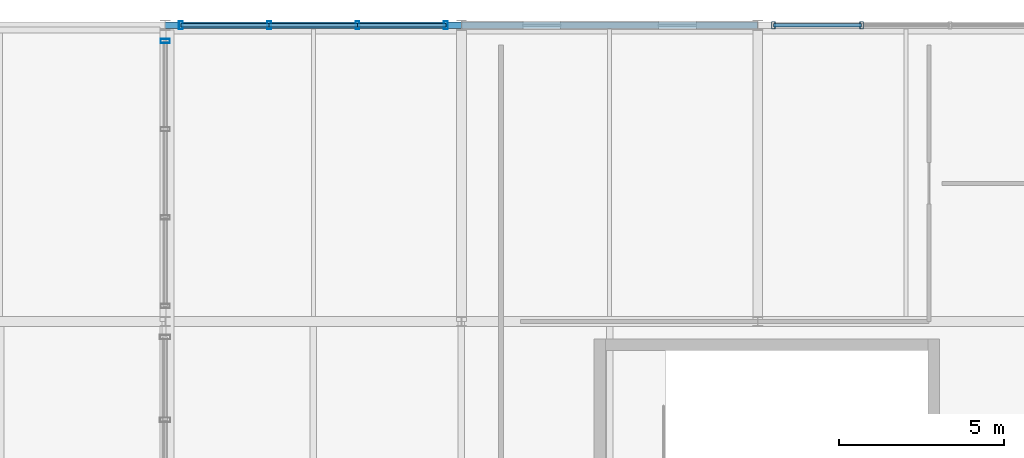
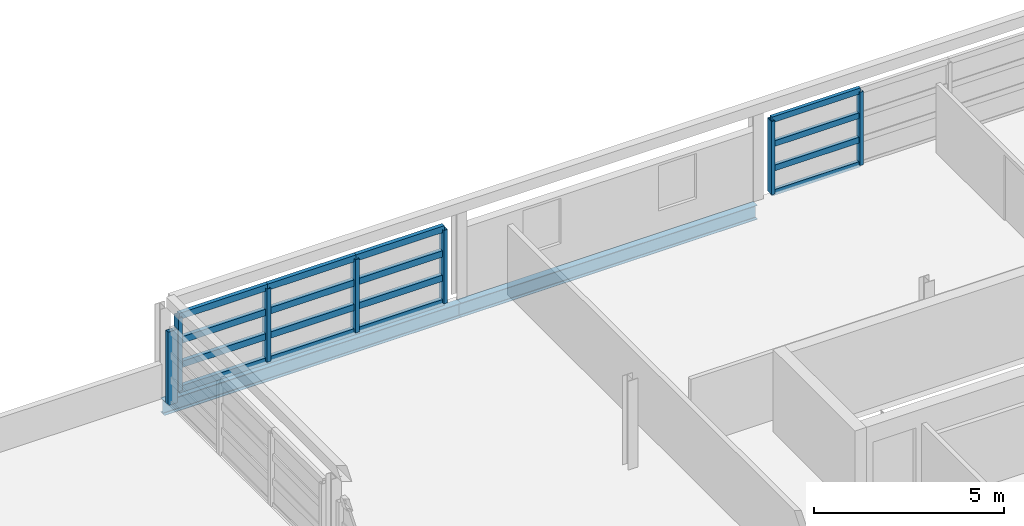
# One storey, part 16 of 27: 23 members, 2 beams, 3 elements without a shape of their own.
"""IFC4 building model written with IfcOpenShell, lengths in metres."""

from ifc_helpers import new_model, si_unit, direction, frame, origin, origin_2d, place, context, subcontext, project, spatial, hollow_rectangle, i_section, extrude, material, material_profile, profile_set, type_object, element, aggregate, save


model = new_model("IFC4")

# Units and contexts
model_context = context("Model", 3, precision=1e-05, world=origin(), true_north=direction((0.0, 1.0)))
body_context = subcontext(model_context, "Body", "Model", "MODEL_VIEW")
ifc_project = project(units=[si_unit("LENGTHUNIT", "METRE"), si_unit("AREAUNIT", "SQUARE_METRE"), si_unit("VOLUMEUNIT", "CUBIC_METRE"), si_unit("PLANEANGLEUNIT", "RADIAN"), si_unit("MASSUNIT", "GRAM", prefix="KILO")], contexts=[model_context])

# Site, building, storey
site_placement = place(None, origin())
site = spatial("IfcSite", under=ifc_project, at=site_placement, CompositionType="ELEMENT")
building_placement = place(site_placement, origin())
building = spatial("IfcBuilding", under=site, at=building_placement, Name="Chuanluo Vaults Station", CompositionType="ELEMENT")
storey_placement = place(building_placement, frame((0.0, 0.0, 20.800048828125)))
storey = spatial("IfcBuildingStorey", under=building, at=storey_placement, Name="L05", CompositionType="ELEMENT", Elevation=20.800048828125)

# Beams
ifc_material_1 = material(Name="Steel Q355C", Category="steel")
ifc_material_profile_1 = material_profile(ifc_material_1, i_section(OverallWidth=0.205078125, OverallDepth=0.4599609375, WebThickness=0.009033203125, FlangeThickness=0.013916015625, FilletRadius=0.01611328125, at=origin_2d()))
ifc_profile_set_1 = profile_set([ifc_material_profile_1], Name="Steel Q355C")
beam_type = type_object("IfcBeamType", Name="BM-SPN-450", PredefinedType="SPANDREL", material=ifc_profile_set_1)
for number, where, z_axis, x_axis, name in (
    (1, (136.0, 126.0, -0.41015625), (1.0, 0.0, 0.0), (0.0, 1.0, 0.0), "Floor girder BM:GX:L05:0979"),
    (2, (145.0, 126.0, -0.41015625), (1.0, 0.0, 0.0), (0.0, 1.0, 0.0), "Floor girder BM:GX:L05:0980"),
):
    element("IfcBeam", number, at=place(storey_placement, frame(where, z_axis=z_axis, x_axis=x_axis)), inside=storey, type_object=beam_type, Name=name, PredefinedType="SPANDREL", context=body_context, shape_type="SweptSolid", body=[
        extrude(i_section(OverallWidth=0.205078125, OverallDepth=0.4599609375, WebThickness=0.009033203125, FlangeThickness=0.013916015625, FilletRadius=0.01611328125, at=origin_2d()), origin(), (0.0, 0.0, 1.0), 9.0),
    ])

# Curtain wall, members
ifc_material_2 = material(Name="Anodised aluminium 6063-T6", Category="aluminium")
curtain_wall_type_1 = type_object("IfcCurtainWallType", Name="CW-SYS-28", PredefinedType="NOTDEFINED", material=ifc_material_2)
curtain_wall_1_placement = place(storey_placement, origin())
curtain_wall_1 = element("IfcCurtainWall", 3, at=curtain_wall_1_placement, inside=storey, type_object=curtain_wall_type_1, Name="Operations L05 facade CW", PredefinedType="NOTDEFINED")
ifc_material_3 = material(Name="Anodised aluminium 6063-T6", Category="aluminium")
ifc_material_profile_2 = material_profile(ifc_material_3, hollow_rectangle(XDim=0.10498046875, YDim=0.219970703125, WallThickness=0.006103515625, at=origin_2d()))
ifc_profile_set_2 = profile_set([ifc_material_profile_2], Name="Anodised aluminium 6063-T6")
member_type_1 = type_object("IfcMemberType", Name="CWM-140", PredefinedType="MULLION", material=ifc_profile_set_2)
member_1_placement = place(storey_placement, frame((154.47509765625, 126.0, 0.0), z_axis=(0.0, 0.0, 1.0), x_axis=(1.0, 0.0, 0.0)))
member_1 = element("IfcMember", 4, at=member_1_placement, type_object=member_type_1, Name="Operations L05 facade CW mullion 1", PredefinedType="MULLION", context=body_context, shape_type="SweptSolid", body=[
    extrude(hollow_rectangle(XDim=0.10498046875, YDim=0.219970703125, WallThickness=0.006103515625, at=origin_2d()), origin(), (0.0, 0.0, 1.0), 2.349853515625),
])
member_2_placement = place(storey_placement, frame((157.158203125, 126.0, 0.0), z_axis=(0.0, 0.0, 1.0), x_axis=(1.0, 0.0, 0.0)))
member_2 = element("IfcMember", 5, at=member_2_placement, type_object=member_type_1, Name="Operations L05 facade CW mullion 2", PredefinedType="MULLION", context=body_context, shape_type="SweptSolid", body=[
    extrude(hollow_rectangle(XDim=0.10498046875, YDim=0.219970703125, WallThickness=0.006103515625, at=origin_2d()), origin(), (0.0, 0.0, 1.0), 2.349853515625),
])

ifc_material_4 = material(Name="Anodised aluminium 6063-T6", Category="aluminium")
curtain_wall_type_2 = type_object("IfcCurtainWallType", Name="CW-SYS-27", PredefinedType="NOTDEFINED", material=ifc_material_4)
curtain_wall_2_placement = place(storey_placement, origin())
curtain_wall_2 = element("IfcCurtainWall", 6, at=curtain_wall_2_placement, inside=storey, type_object=curtain_wall_type_2, Name="Operations L05 facade CW", PredefinedType="NOTDEFINED")
ifc_material_5 = material(Name="Anodised aluminium 6063-T6", Category="aluminium")
ifc_material_profile_3 = material_profile(ifc_material_5, hollow_rectangle(XDim=0.1201171875, YDim=0.25, WallThickness=0.006103515625, at=origin_2d()))
ifc_profile_set_3 = profile_set([ifc_material_profile_3], Name="Anodised aluminium 6063-T6")
member_type_2 = type_object("IfcMemberType", Name="CWM-160", PredefinedType="MULLION", material=ifc_profile_set_3)
member_3_placement = place(storey_placement, frame((136.47509765625, 126.0, 0.0), z_axis=(0.0, 0.0, 1.0), x_axis=(1.0, 0.0, 0.0)))
member_3 = element("IfcMember", 7, at=member_3_placement, type_object=member_type_2, Name="Operations L05 facade CW mullion 1", PredefinedType="MULLION", context=body_context, shape_type="SweptSolid", body=[
    extrude(hollow_rectangle(XDim=0.1201171875, YDim=0.25, WallThickness=0.006103515625, at=origin_2d()), origin(), (0.0, 0.0, 1.0), 2.349853515625),
])
member_4_placement = place(storey_placement, frame((139.158203125, 126.0, 0.0), z_axis=(0.0, 0.0, 1.0), x_axis=(1.0, 0.0, 0.0)))
member_4 = element("IfcMember", 8, at=member_4_placement, type_object=member_type_2, Name="Operations L05 facade CW mullion 2", PredefinedType="MULLION", context=body_context, shape_type="SweptSolid", body=[
    extrude(hollow_rectangle(XDim=0.1201171875, YDim=0.25, WallThickness=0.006103515625, at=origin_2d()), origin(), (0.0, 0.0, 1.0), 2.349853515625),
])
member_5_placement = place(storey_placement, frame((141.841796875, 126.0, 0.0), z_axis=(0.0, 0.0, 1.0), x_axis=(1.0, 0.0, 0.0)))
member_5 = element("IfcMember", 9, at=member_5_placement, type_object=member_type_2, Name="Operations L05 facade CW mullion 3", PredefinedType="MULLION", context=body_context, shape_type="SweptSolid", body=[
    extrude(hollow_rectangle(XDim=0.1201171875, YDim=0.25, WallThickness=0.006103515625, at=origin_2d()), origin(), (0.0, 0.0, 1.0), 2.349853515625),
])
member_6_placement = place(storey_placement, frame((144.52490234375, 126.0, 0.0), z_axis=(0.0, 0.0, 1.0), x_axis=(1.0, 0.0, 0.0)))
member_6 = element("IfcMember", 10, at=member_6_placement, type_object=member_type_2, Name="Operations L05 facade CW mullion 4", PredefinedType="MULLION", context=body_context, shape_type="SweptSolid", body=[
    extrude(hollow_rectangle(XDim=0.1201171875, YDim=0.25, WallThickness=0.006103515625, at=origin_2d()), origin(), (0.0, 0.0, 1.0), 2.349853515625),
])

# Curtain wall, member
ifc_material_6 = material(Name="Anodised aluminium 6063-T6", Category="aluminium")
curtain_wall_type_3 = type_object("IfcCurtainWallType", Name="CW-SYS-26", PredefinedType="NOTDEFINED", material=ifc_material_6)
curtain_wall_3_placement = place(storey_placement, origin())
curtain_wall_3 = element("IfcCurtainWall", 11, at=curtain_wall_3_placement, inside=storey, type_object=curtain_wall_type_3, Name="Operations L05 facade CW", PredefinedType="NOTDEFINED")
ifc_material_7 = material(Name="Anodised aluminium 6063-T6", Category="aluminium")
ifc_material_profile_4 = material_profile(ifc_material_7, hollow_rectangle(XDim=0.1298828125, YDim=0.280029296875, WallThickness=0.007080078125, at=origin_2d()))
ifc_profile_set_4 = profile_set([ifc_material_profile_4], Name="Anodised aluminium 6063-T6")
member_type_3 = type_object("IfcMemberType", Name="CWM-180", PredefinedType="MULLION", material=ifc_profile_set_4)
member_7_placement = place(storey_placement, frame((136.0, 125.52490234375, 0.0), z_axis=(0.0, 0.0, 1.0), x_axis=(0.0, 1.0, 0.0)))
member_7 = element("IfcMember", 12, at=member_7_placement, type_object=member_type_3, Name="Operations L05 facade CW mullion 4", PredefinedType="MULLION", context=body_context, shape_type="SweptSolid", body=[
    extrude(hollow_rectangle(XDim=0.1298828125, YDim=0.280029296875, WallThickness=0.007080078125, at=origin_2d()), origin(), (0.0, 0.0, 1.0), 2.349853515625),
])
aggregate(curtain_wall_3, [member_7])

# Member
ifc_material_8 = material(Name="Anodised aluminium 6063-T6", Category="aluminium")
ifc_material_profile_5 = material_profile(ifc_material_8, hollow_rectangle(XDim=0.10498046875, YDim=0.18505859375, WallThickness=0.0048828125, at=origin_2d()))
ifc_profile_set_5 = profile_set([ifc_material_profile_5], Name="Anodised aluminium 6063-T6")
member_type_4 = type_object("IfcMemberType", Name="CWT-110", PredefinedType="USERDEFINED", material=ifc_profile_set_5)
member_8_placement = place(storey_placement, frame((154.47509765625, 126.0, 0.0), z_axis=(1.0, 0.0, 0.0), x_axis=(0.0, 1.0, 0.0)))
member_8 = element("IfcMember", 13, at=member_8_placement, type_object=member_type_4, Name="Operations L05 facade CW transom 1.1", ObjectType="TRANSOM", PredefinedType="USERDEFINED", context=body_context, shape_type="SweptSolid", body=[
    extrude(hollow_rectangle(XDim=0.10498046875, YDim=0.18505859375, WallThickness=0.0048828125, at=origin_2d()), origin(), (0.0, 0.0, 1.0), 2.68310546875),
])

member_9_placement = place(storey_placement, frame((154.47509765625, 126.0, 0.783203125), z_axis=(1.0, 0.0, 0.0), x_axis=(0.0, 1.0, 0.0)))
member_9 = element("IfcMember", 14, at=member_9_placement, type_object=member_type_4, Name="Operations L05 facade CW transom 1.2", ObjectType="TRANSOM", PredefinedType="USERDEFINED", context=body_context, shape_type="SweptSolid", body=[
    extrude(hollow_rectangle(XDim=0.10498046875, YDim=0.18505859375, WallThickness=0.0048828125, at=origin_2d()), origin(), (0.0, 0.0, 1.0), 2.68310546875),
])

member_10_placement = place(storey_placement, frame((154.47509765625, 126.0, 1.566650390625), z_axis=(1.0, 0.0, 0.0), x_axis=(0.0, 1.0, 0.0)))
member_10 = element("IfcMember", 15, at=member_10_placement, type_object=member_type_4, Name="Operations L05 facade CW transom 1.3", ObjectType="TRANSOM", PredefinedType="USERDEFINED", context=body_context, shape_type="SweptSolid", body=[
    extrude(hollow_rectangle(XDim=0.10498046875, YDim=0.18505859375, WallThickness=0.0048828125, at=origin_2d()), origin(), (0.0, 0.0, 1.0), 2.68310546875),
])

member_11_placement = place(storey_placement, frame((154.47509765625, 126.0, 2.349853515625), z_axis=(1.0, 0.0, 0.0), x_axis=(0.0, 1.0, 0.0)))
member_11 = element("IfcMember", 16, at=member_11_placement, type_object=member_type_4, Name="Operations L05 facade CW transom 1.4", ObjectType="TRANSOM", PredefinedType="USERDEFINED", context=body_context, shape_type="SweptSolid", body=[
    extrude(hollow_rectangle(XDim=0.10498046875, YDim=0.18505859375, WallThickness=0.0048828125, at=origin_2d()), origin(), (0.0, 0.0, 1.0), 2.68310546875),
])

aggregate(curtain_wall_1, [member_1, member_2, member_8, member_9, member_10, member_11])

ifc_material_9 = material(Name="Anodised aluminium 6063-T6", Category="aluminium")
ifc_material_profile_6 = material_profile(ifc_material_9, hollow_rectangle(XDim=0.1201171875, YDim=0.205078125, WallThickness=0.006103515625, at=origin_2d()))
ifc_profile_set_6 = profile_set([ifc_material_profile_6], Name="Anodised aluminium 6063-T6")
member_type_5 = type_object("IfcMemberType", Name="CWT-130", PredefinedType="USERDEFINED", material=ifc_profile_set_6)
member_12_placement = place(storey_placement, frame((136.47509765625, 126.0, 0.0), z_axis=(1.0, 0.0, 0.0), x_axis=(0.0, 1.0, 0.0)))
member_12 = element("IfcMember", 17, at=member_12_placement, type_object=member_type_5, Name="Operations L05 facade CW transom 1.1", ObjectType="TRANSOM", PredefinedType="USERDEFINED", context=body_context, shape_type="SweptSolid", body=[
    extrude(hollow_rectangle(XDim=0.1201171875, YDim=0.205078125, WallThickness=0.006103515625, at=origin_2d()), origin(), (0.0, 0.0, 1.0), 2.68310546875),
])

member_13_placement = place(storey_placement, frame((136.47509765625, 126.0, 0.783203125), z_axis=(1.0, 0.0, 0.0), x_axis=(0.0, 1.0, 0.0)))
member_13 = element("IfcMember", 18, at=member_13_placement, type_object=member_type_5, Name="Operations L05 facade CW transom 1.2", ObjectType="TRANSOM", PredefinedType="USERDEFINED", context=body_context, shape_type="SweptSolid", body=[
    extrude(hollow_rectangle(XDim=0.1201171875, YDim=0.205078125, WallThickness=0.006103515625, at=origin_2d()), origin(), (0.0, 0.0, 1.0), 2.68310546875),
])

member_14_placement = place(storey_placement, frame((136.47509765625, 126.0, 1.566650390625), z_axis=(1.0, 0.0, 0.0), x_axis=(0.0, 1.0, 0.0)))
member_14 = element("IfcMember", 19, at=member_14_placement, type_object=member_type_5, Name="Operations L05 facade CW transom 1.3", ObjectType="TRANSOM", PredefinedType="USERDEFINED", context=body_context, shape_type="SweptSolid", body=[
    extrude(hollow_rectangle(XDim=0.1201171875, YDim=0.205078125, WallThickness=0.006103515625, at=origin_2d()), origin(), (0.0, 0.0, 1.0), 2.68310546875),
])

member_15_placement = place(storey_placement, frame((136.47509765625, 126.0, 2.349853515625), z_axis=(1.0, 0.0, 0.0), x_axis=(0.0, 1.0, 0.0)))
member_15 = element("IfcMember", 20, at=member_15_placement, type_object=member_type_5, Name="Operations L05 facade CW transom 1.4", ObjectType="TRANSOM", PredefinedType="USERDEFINED", context=body_context, shape_type="SweptSolid", body=[
    extrude(hollow_rectangle(XDim=0.1201171875, YDim=0.205078125, WallThickness=0.006103515625, at=origin_2d()), origin(), (0.0, 0.0, 1.0), 2.68310546875),
])

member_16_placement = place(storey_placement, frame((139.158203125, 126.0, 0.0), z_axis=(1.0, 0.0, 0.0), x_axis=(0.0, 1.0, 0.0)))
member_16 = element("IfcMember", 21, at=member_16_placement, type_object=member_type_5, Name="Operations L05 facade CW transom 2.1", ObjectType="TRANSOM", PredefinedType="USERDEFINED", context=body_context, shape_type="SweptSolid", body=[
    extrude(hollow_rectangle(XDim=0.1201171875, YDim=0.205078125, WallThickness=0.006103515625, at=origin_2d()), origin(), (0.0, 0.0, 1.0), 2.68359375),
])

member_17_placement = place(storey_placement, frame((139.158203125, 126.0, 0.783203125), z_axis=(1.0, 0.0, 0.0), x_axis=(0.0, 1.0, 0.0)))
member_17 = element("IfcMember", 22, at=member_17_placement, type_object=member_type_5, Name="Operations L05 facade CW transom 2.2", ObjectType="TRANSOM", PredefinedType="USERDEFINED", context=body_context, shape_type="SweptSolid", body=[
    extrude(hollow_rectangle(XDim=0.1201171875, YDim=0.205078125, WallThickness=0.006103515625, at=origin_2d()), origin(), (0.0, 0.0, 1.0), 2.68359375),
])

member_18_placement = place(storey_placement, frame((139.158203125, 126.0, 1.566650390625), z_axis=(1.0, 0.0, 0.0), x_axis=(0.0, 1.0, 0.0)))
member_18 = element("IfcMember", 23, at=member_18_placement, type_object=member_type_5, Name="Operations L05 facade CW transom 2.3", ObjectType="TRANSOM", PredefinedType="USERDEFINED", context=body_context, shape_type="SweptSolid", body=[
    extrude(hollow_rectangle(XDim=0.1201171875, YDim=0.205078125, WallThickness=0.006103515625, at=origin_2d()), origin(), (0.0, 0.0, 1.0), 2.68359375),
])

member_19_placement = place(storey_placement, frame((139.158203125, 126.0, 2.349853515625), z_axis=(1.0, 0.0, 0.0), x_axis=(0.0, 1.0, 0.0)))
member_19 = element("IfcMember", 24, at=member_19_placement, type_object=member_type_5, Name="Operations L05 facade CW transom 2.4", ObjectType="TRANSOM", PredefinedType="USERDEFINED", context=body_context, shape_type="SweptSolid", body=[
    extrude(hollow_rectangle(XDim=0.1201171875, YDim=0.205078125, WallThickness=0.006103515625, at=origin_2d()), origin(), (0.0, 0.0, 1.0), 2.68359375),
])

member_20_placement = place(storey_placement, frame((141.841796875, 126.0, 0.0), z_axis=(1.0, 0.0, 0.0), x_axis=(0.0, 1.0, 0.0)))
member_20 = element("IfcMember", 25, at=member_20_placement, type_object=member_type_5, Name="Operations L05 facade CW transom 3.1", ObjectType="TRANSOM", PredefinedType="USERDEFINED", context=body_context, shape_type="SweptSolid", body=[
    extrude(hollow_rectangle(XDim=0.1201171875, YDim=0.205078125, WallThickness=0.006103515625, at=origin_2d()), origin(), (0.0, 0.0, 1.0), 2.68310546875),
])

member_21_placement = place(storey_placement, frame((141.841796875, 126.0, 0.783203125), z_axis=(1.0, 0.0, 0.0), x_axis=(0.0, 1.0, 0.0)))
member_21 = element("IfcMember", 26, at=member_21_placement, type_object=member_type_5, Name="Operations L05 facade CW transom 3.2", ObjectType="TRANSOM", PredefinedType="USERDEFINED", context=body_context, shape_type="SweptSolid", body=[
    extrude(hollow_rectangle(XDim=0.1201171875, YDim=0.205078125, WallThickness=0.006103515625, at=origin_2d()), origin(), (0.0, 0.0, 1.0), 2.68310546875),
])

member_22_placement = place(storey_placement, frame((141.841796875, 126.0, 1.566650390625), z_axis=(1.0, 0.0, 0.0), x_axis=(0.0, 1.0, 0.0)))
member_22 = element("IfcMember", 27, at=member_22_placement, type_object=member_type_5, Name="Operations L05 facade CW transom 3.3", ObjectType="TRANSOM", PredefinedType="USERDEFINED", context=body_context, shape_type="SweptSolid", body=[
    extrude(hollow_rectangle(XDim=0.1201171875, YDim=0.205078125, WallThickness=0.006103515625, at=origin_2d()), origin(), (0.0, 0.0, 1.0), 2.68310546875),
])

member_23_placement = place(storey_placement, frame((141.841796875, 126.0, 2.349853515625), z_axis=(1.0, 0.0, 0.0), x_axis=(0.0, 1.0, 0.0)))
member_23 = element("IfcMember", 28, at=member_23_placement, type_object=member_type_5, Name="Operations L05 facade CW transom 3.4", ObjectType="TRANSOM", PredefinedType="USERDEFINED", context=body_context, shape_type="SweptSolid", body=[
    extrude(hollow_rectangle(XDim=0.1201171875, YDim=0.205078125, WallThickness=0.006103515625, at=origin_2d()), origin(), (0.0, 0.0, 1.0), 2.68310546875),
])

aggregate(curtain_wall_2, [member_3, member_4, member_5, member_6, member_12, member_13, member_14, member_15, member_16, member_17, member_18, member_19, member_20, member_21, member_22, member_23])

save(model, "model.ifc")
